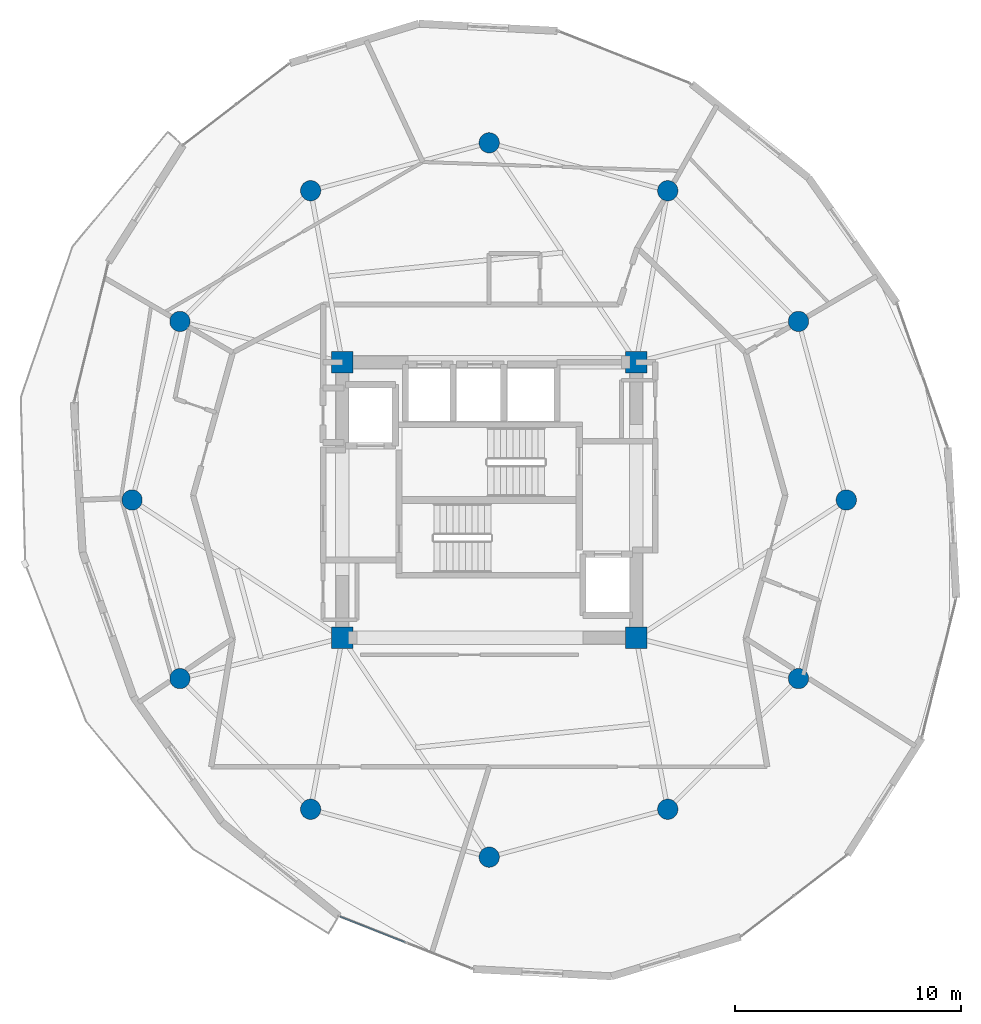
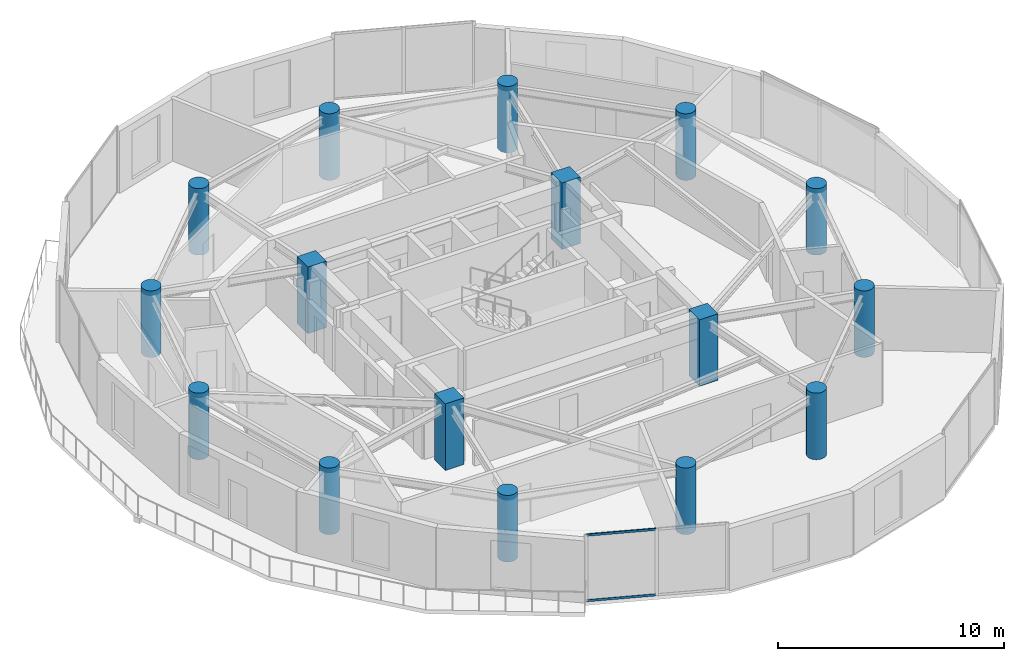
# One storey, part 1 of 18: 16 columns, 2 members, 1 element without a shape of its own.
"""IFC4 building model written with IfcOpenShell, lengths in metres."""

from ifc_helpers import new_model, si_unit, direction, frame, origin, origin_2d, place, context, subcontext, project, spatial, rectangle, hollow_rectangle, circle, extrude, source, transform, mapped, material, layer, layer_set, material_profile, profile_set, type_object, element, aggregate, save


model = new_model("IFC4")

# Units and contexts
model_context = context("Model", 3, precision=1e-05, world=origin(), true_north=direction((0.0, 1.0)))
body_context = subcontext(model_context, "Body", "Model", "MODEL_VIEW")
ifc_project = project(units=[si_unit("LENGTHUNIT", "METRE"), si_unit("AREAUNIT", "SQUARE_METRE"), si_unit("VOLUMEUNIT", "CUBIC_METRE"), si_unit("PLANEANGLEUNIT", "RADIAN"), si_unit("MASSUNIT", "GRAM", prefix="KILO")], contexts=[model_context])

# Site, building, storey
site_placement = place(None, origin())
site = spatial("IfcSite", under=ifc_project, at=site_placement, CompositionType="ELEMENT")
building_placement = place(site_placement, origin())
building = spatial("IfcBuilding", under=site, at=building_placement, Name="Solvirekh Grand Hotel", CompositionType="ELEMENT")
storey_placement = place(building_placement, frame((0.0, 0.0, 198.39990234375)))
storey = spatial("IfcBuildingStorey", under=building, at=storey_placement, Name="L51", CompositionType="ELEMENT", Elevation=198.39990234375)

# Columns
ifc_material_1 = material(Name="Concrete C50/60", Category="concrete")
ifc_material_profile_1 = material_profile(ifc_material_1, rectangle(XDim=0.949951171875, YDim=0.949951171875, at=origin_2d()), Name="RC 950X950")
ifc_profile_set_1 = profile_set([ifc_material_profile_1], Name="Concrete C50/60")
column_type_1 = type_object("IfcColumnType", Name="Col_Core_950", PredefinedType="COLUMN", material=ifc_profile_set_1)
for number, where, z_axis, x_axis, name in (
    (1, (-6.5, -6.10009765625, 0.0), (0.0, 0.0, 1.0), (1.0, 0.0, 0.0), "L51 core corner column CC1"),
    (2, (6.5, -6.10009765625, 0.0), (0.0, 0.0, 1.0), (1.0, 0.0, 0.0), "L51 core corner column CC2"),
    (3, (6.5, 6.10009765625, 0.0), (0.0, 0.0, 1.0), (1.0, 0.0, 0.0), "L51 core corner column CC3"),
    (4, (-6.5, 6.10009765625, 0.0), (0.0, 0.0, 1.0), (1.0, 0.0, 0.0), "L51 core corner column CC4"),
):
    element("IfcColumn", number, at=place(storey_placement, frame(where, z_axis=z_axis, x_axis=x_axis)), inside=storey, type_object=column_type_1, Name=name, PredefinedType="COLUMN", context=body_context, shape_type="SweptSolid", body=[
        extrude(rectangle(XDim=0.949951171875, YDim=0.949951171875, at=origin_2d()), origin(), (0.0, 0.0, 1.0), 3.60009765625),
    ])
ifc_material_profile_2 = material_profile(ifc_material_1, circle(Radius=0.449951171875, at=origin_2d()), Name="RC CIRC D900")
ifc_profile_set_2 = profile_set([ifc_material_profile_2], Name="Concrete C50/60")
column_type_2 = type_object("IfcColumnType", Name="Col_Z3_D900", PredefinedType="COLUMN", material=ifc_profile_set_2)
for number, where, z_axis, x_axis, name in (
    (5, (15.800048828125, 0.0, 0.0), (0.0, 0.0, 1.0), (1.0, 0.0, 0.0), "L51 perimeter column P01"),
    (6, (13.68310546875, 7.89990234375, 0.0), (0.0, 0.0, 1.0), (1.0, 0.0, 0.0), "L51 perimeter column P02"),
    (7, (7.89990234375, 13.68310546875, 0.0), (0.0, 0.0, 1.0), (1.0, 0.0, 0.0), "L51 perimeter column P03"),
    (8, (0.0, 15.800048828125, 0.0), (0.0, 0.0, 1.0), (1.0, 0.0, 0.0), "L51 perimeter column P04"),
    (9, (-7.89990234375, 13.68310546875, 0.0), (0.0, 0.0, 1.0), (1.0, 0.0, 0.0), "L51 perimeter column P05"),
    (10, (-13.68310546875, 7.89990234375, 0.0), (0.0, 0.0, 1.0), (1.0, 0.0, 0.0), "L51 perimeter column P06"),
    (11, (-15.800048828125, 0.0, 0.0), (0.0, 0.0, 1.0), (1.0, 0.0, 0.0), "L51 perimeter column P07"),
    (12, (-13.68310546875, -7.89990234375, 0.0), (0.0, 0.0, 1.0), (1.0, 0.0, 0.0), "L51 perimeter column P08"),
    (13, (-7.89990234375, -13.68310546875, 0.0), (0.0, 0.0, 1.0), (1.0, 0.0, 0.0), "L51 perimeter column P09"),
    (14, (0.0, -15.800048828125, 0.0), (0.0, 0.0, 1.0), (1.0, 0.0, 0.0), "L51 perimeter column P10"),
    (15, (7.89990234375, -13.68310546875, 0.0), (0.0, 0.0, 1.0), (1.0, 0.0, 0.0), "L51 perimeter column P11"),
    (16, (13.68310546875, -7.89990234375, 0.0), (0.0, 0.0, 1.0), (1.0, 0.0, 0.0), "L51 perimeter column P12"),
):
    element("IfcColumn", number, at=place(storey_placement, frame(where, z_axis=z_axis, x_axis=x_axis)), inside=storey, type_object=column_type_2, Name=name, PredefinedType="COLUMN", context=body_context, shape_type="SweptSolid", body=[
        extrude(circle(Radius=0.449951171875, at=origin_2d()), origin(), (0.0, 0.0, 1.0), 3.60009765625),
    ])

# Curtain wall, members
ifc_material_2 = material(Name="Anodized Bronze Aluminium 6063-T6", Category="aluminium")
ifc_layer = layer(ifc_material_2, 0.159912109375)
ifc_layer_set = layer_set([ifc_layer], Name="Anodized Bronze Aluminium 6063-T6")
curtain_wall_type = type_object("IfcCurtainWallType", Name="CW_Sys4_HighZoneFlushBronzeCW", PredefinedType="NOTDEFINED", material=ifc_layer_set)
curtain_wall_placement = place(storey_placement, origin())
curtain_wall = element("IfcCurtainWall", 17, at=curtain_wall_placement, inside=storey, type_object=curtain_wall_type, Name="L51 unitised bronze-glass curtain wall CW-L51-C18", PredefinedType="NOTDEFINED")
ifc_material_profile_3 = material_profile(ifc_material_2, hollow_rectangle(XDim=0.054931640625, YDim=0.1201171875, WallThickness=0.00390625, at=origin_2d()), Name="ALU RHS 120X55X4")
ifc_profile_set_3 = profile_set([ifc_material_profile_3], Name="Anodized Bronze Aluminium 6063-T6")
member_type = type_object("IfcMemberType", Name="CWTransom_Sys4", PredefinedType="USERDEFINED", material=ifc_profile_set_3)
shared_shape = source(origin(), body_context, "Body", "SweptSolid", [
    extrude(hollow_rectangle(XDim=0.054931640625, YDim=0.1201171875, WallThickness=0.00390625, at=origin_2d()), origin(), (0.0, 0.0, 1.0), 3.104248046875),
])
member_1_placement = place(storey_placement, frame((-6.59619140625, -18.43017578125, 0.027587890625), z_axis=(0.929896296609, -0.367821801357, 0.0), x_axis=(0.367821801357, 0.929896296609, 0.0)))
member_1 = element("IfcMember", 18, at=member_1_placement, type_object=member_type, Name="U04 transom 1.1", ObjectType="TRANSOM", PredefinedType="USERDEFINED", context=body_context, shape_type="MappedRepresentation", body=[
    mapped(shared_shape, transform((0.0, 0.0, 0.0), x_axis=(1.0, 0.0, 0.0), y_axis=(0.0, 1.0, 0.0), z_axis=(0.0, 0.0, 1.0), scale=1.0)),
])
member_2_placement = place(storey_placement, frame((-6.59619140625, -18.43017578125, 3.572509765625), z_axis=(0.929896296609, -0.367821801357, 0.0), x_axis=(0.367821801357, 0.929896296609, 0.0)))
member_2 = element("IfcMember", 19, at=member_2_placement, type_object=member_type, Name="U04 transom 1.2", ObjectType="TRANSOM", PredefinedType="USERDEFINED", context=body_context, shape_type="MappedRepresentation", body=[
    mapped(shared_shape, transform((0.0, 0.0, 0.0), x_axis=(1.0, 0.0, 0.0), y_axis=(0.0, 1.0, 0.0), z_axis=(0.0, 0.0, 1.0), scale=1.0)),
])
aggregate(curtain_wall, [member_1, member_2])

save(model, "model.ifc")
